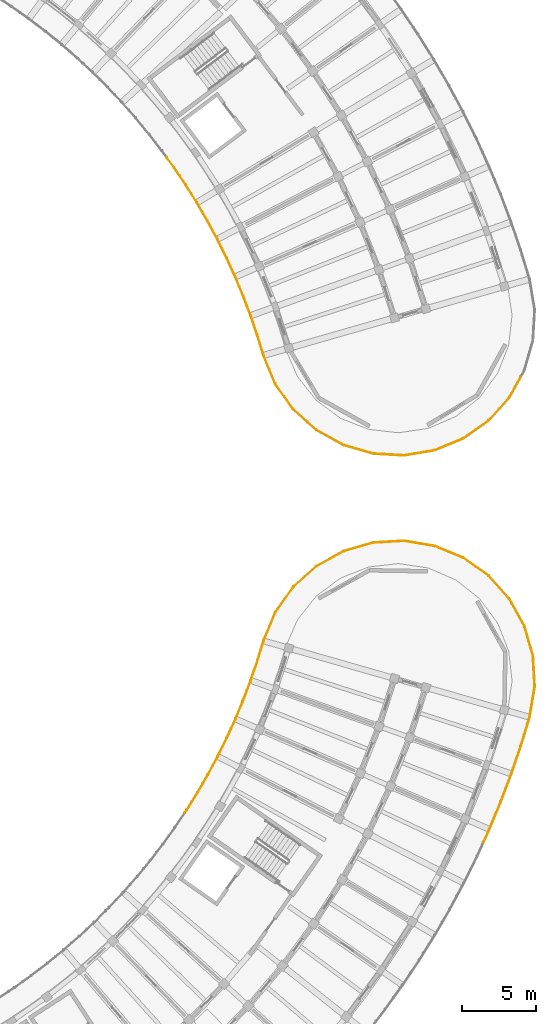
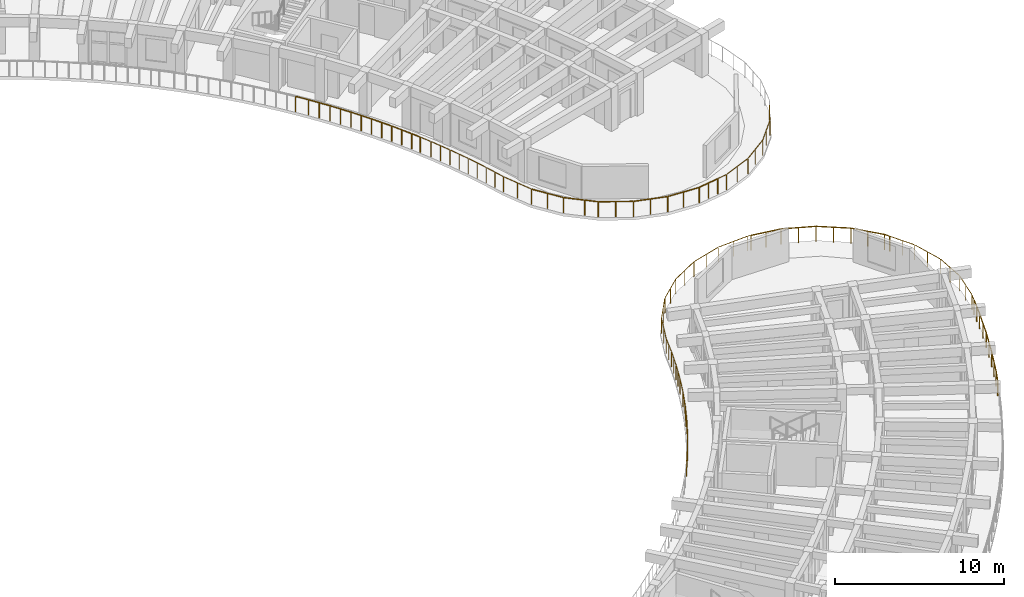
# One storey, part 77 of 81: 11 railings.
"""IFC4 building model written with IfcOpenShell, lengths in metres."""

from ifc_helpers import new_model, si_unit, direction, frame, origin, origin_2d, place, context, subcontext, project, spatial, circle, extrude, material, type_object, element, save


model = new_model("IFC4")

# Units and contexts
model_context = context("Model", 3, precision=1e-05, world=origin(), true_north=direction((0.0, 1.0)))
body_context = subcontext(model_context, "Body", "Model", "MODEL_VIEW")
ifc_project = project(units=[si_unit("LENGTHUNIT", "METRE"), si_unit("AREAUNIT", "SQUARE_METRE"), si_unit("VOLUMEUNIT", "CUBIC_METRE"), si_unit("PLANEANGLEUNIT", "RADIAN"), si_unit("MASSUNIT", "GRAM", prefix="KILO")], contexts=[model_context])

# Site, building, storey
site_placement = place(None, origin())
site = spatial("IfcSite", under=ifc_project, at=site_placement, CompositionType="ELEMENT")
building_placement = place(site_placement, origin())
building = spatial("IfcBuilding", under=site, at=building_placement, Name="Tanwirah Colonnade Gardens", CompositionType="ELEMENT")
storey_placement = place(building_placement, frame((0.0, 0.0, 8.840087890625)))
storey = spatial("IfcBuildingStorey", under=building, at=storey_placement, Name="L02", CompositionType="ELEMENT", Elevation=8.840087890625)

# Railings
ifc_material = material(Name="Precast concrete C40/50", Category="concrete")
railing_type_1 = type_object("IfcRailingType", Name="BAL-EXT110", PredefinedType="BALUSTRADE", material=ifc_material)
railing_1_placement = place(storey_placement, frame((156.728515625, 41.15869140625, 0.0)))
element("IfcRailing", 1, at=railing_1_placement, inside=storey, type_object=railing_type_1, Name="Block D L02 Balcony Ribbon Balustrade 5", PredefinedType="BALUSTRADE", context=body_context, shape_type="SweptSolid", body=[
    extrude(circle(Radius=0.02392578125, at=origin_2d()), frame((0.017333984375, 0.02587890625, 1.076171875), z_axis=(0.556591623042, 0.83078623313, 0.0), x_axis=(-0.83078623313, 0.556591623042, 0.0)), (0.0, 0.0, 1.0), 0.145751953125),
    extrude(circle(Radius=0.02392578125, at=origin_2d()), frame((0.1337890625, 0.201904296875, 1.076171875), z_axis=(0.529022666758, 0.848607693847, 0.0), x_axis=(-0.848607693847, 0.529022666758, 0.0)), (0.0, 0.0, 1.0), 1.33154296875),
    extrude(circle(Radius=0.02392578125, at=origin_2d()), frame((0.87158203125, 1.3876953125, 1.076171875), z_axis=(0.501015561301, 0.865438274711, 0.0), x_axis=(-0.865438274711, 0.501015561301, 0.0)), (0.0, 0.0, 1.0), 1.33154296875),
    extrude(circle(Radius=0.02392578125, at=origin_2d()), frame((1.5703125, 2.596923828125, 1.076171875), z_axis=(0.472323466806, 0.881425290484, 0.0), x_axis=(-0.881425290484, 0.472323466806, 0.0)), (0.0, 0.0, 1.0), 1.33154296875),
    extrude(circle(Radius=0.02392578125, at=origin_2d()), frame((2.229248046875, 3.82861328125, 1.076171875), z_axis=(0.443286097627, 0.896380184771, 0.0), x_axis=(-0.896380184771, 0.443286097627, 0.0)), (0.0, 0.0, 1.0), 1.33154296875),
    extrude(circle(Radius=0.02392578125, at=origin_2d()), frame((2.847412109375, 5.0810546875, 1.076171875), z_axis=(0.413697373423, 0.91041445684, 0.0), x_axis=(-0.91041445684, 0.413697373423, 0.0)), (0.0, 0.0, 1.0), 1.331298828125),
    extrude(circle(Radius=0.02392578125, at=origin_2d()), frame((3.424072265625, 6.352783203125, 1.076171875), z_axis=(0.383672564884, 0.923469199787, 0.0), x_axis=(-0.923469199787, 0.383672564884, 0.0)), (0.0, 0.0, 1.0), 1.2431640625),
    extrude(circle(Radius=0.02099609375, at=origin_2d()), origin(), (0.0, 0.0, 1.0), 1.049072265625),
    extrude(circle(Radius=0.02099609375, at=origin_2d()), frame((0.115966796875, 0.173095703125, 0.0)), (0.0, 0.0, 1.0), 1.049072265625),
    extrude(circle(Radius=0.02099609375, at=origin_2d()), frame((0.48583984375, 0.766845703125, 0.0)), (0.0, 0.0, 1.0), 1.049072265625),
    extrude(circle(Radius=0.02099609375, at=origin_2d()), frame((0.854736328125, 1.3583984375, 0.0)), (0.0, 0.0, 1.0), 1.049072265625),
    extrude(circle(Radius=0.02099609375, at=origin_2d()), frame((1.205078125, 1.9638671875, 0.0)), (0.0, 0.0, 1.0), 1.049072265625),
    extrude(circle(Radius=0.02099609375, at=origin_2d()), frame((1.554443359375, 2.567138671875, 0.0)), (0.0, 0.0, 1.0), 1.049072265625),
    extrude(circle(Radius=0.02099609375, at=origin_2d()), frame((1.884765625, 3.18359375, 0.0)), (0.0, 0.0, 1.0), 1.049072265625),
    extrude(circle(Radius=0.02099609375, at=origin_2d()), frame((2.214111328125, 3.798095703125, 0.0)), (0.0, 0.0, 1.0), 1.049072265625),
    extrude(circle(Radius=0.02099609375, at=origin_2d()), frame((2.5244140625, 4.42529296875, 0.0)), (0.0, 0.0, 1.0), 1.049072265625),
    extrude(circle(Radius=0.02099609375, at=origin_2d()), frame((2.833251953125, 5.050048828125, 0.0)), (0.0, 0.0, 1.0), 1.049072265625),
    extrude(circle(Radius=0.02099609375, at=origin_2d()), frame((3.122802734375, 5.68701171875, 0.0)), (0.0, 0.0, 1.0), 1.049072265625),
    extrude(circle(Radius=0.02099609375, at=origin_2d()), frame((3.4111328125, 6.321533203125, 0.0)), (0.0, 0.0, 1.0), 1.049072265625),
    extrude(circle(Radius=0.02099609375, at=origin_2d()), frame((3.9130859375, 7.52978515625, 0.0)), (0.0, 0.0, 1.0), 1.049072265625),
])
railing_2_placement = place(storey_placement, frame((160.6416015625, 48.6884765625, 0.0)))
element("IfcRailing", 2, at=railing_2_placement, inside=storey, type_object=railing_type_1, Name="Block D L02 Balcony Ribbon Balustrade 6", PredefinedType="BALUSTRADE", context=body_context, shape_type="SweptSolid", body=[
    extrude(circle(Radius=0.02392578125, at=origin_2d()), frame((0.011962890625, 0.02880859375, 1.076171875), z_axis=(0.384222801745, 0.923240401315, 0.0), x_axis=(-0.923240401315, 0.384222801745, 0.0)), (0.0, 0.0, 1.0), 0.02587890625),
    extrude(circle(Radius=0.02392578125, at=origin_2d()), frame((0.0458984375, 0.11328125, 1.076171875), z_axis=(0.353291566317, 0.935513265095, 0.0), x_axis=(-0.935513265095, 0.353291566317, 0.0)), (0.0, 0.0, 1.0), 1.331298828125),
    extrude(circle(Radius=0.02392578125, at=origin_2d()), frame((0.538330078125, 1.419921875, 1.076171875), z_axis=(0.322420738552, 0.946596464895, 0.0), x_axis=(-0.946596464895, 0.322420738552, 0.0)), (0.0, 0.0, 1.0), 1.33154296875),
    extrude(circle(Radius=0.02392578125, at=origin_2d()), frame((0.987548828125, 2.7421875, 1.076171875), z_axis=(0.291308344694, 0.956629211509, 0.0), x_axis=(-0.956629211509, 0.291308344694, 0.0)), (0.0, 0.0, 1.0), 1.327880859375),
    extrude(circle(Radius=0.02392578125, at=origin_2d()), frame((1.3955078125, 4.0712890625, 1.076171875), z_axis=(0.381489237895, 0.92437328032, 0.0), x_axis=(-0.92437328032, 0.381489237895, 0.0)), (0.0, 0.0, 1.0), 2.029541015625),
    extrude(circle(Radius=0.02392578125, at=origin_2d()), frame((2.19970703125, 6.001953125, 1.076171875), z_axis=(0.577702435947, 0.81624744747, 0.0), x_axis=(-0.81624744747, 0.577702435947, 0.0)), (0.0, 0.0, 1.0), 2.0244140625),
    extrude(circle(Radius=0.02099609375, at=origin_2d()), origin(), (0.0, 0.0, 1.0), 1.049072265625),
    extrude(circle(Radius=0.02099609375, at=origin_2d()), frame((0.033935546875, 0.08154296875, 0.0)), (0.0, 0.0, 1.0), 1.049072265625),
    extrude(circle(Radius=0.02099609375, at=origin_2d()), frame((0.28125, 0.73583984375, 0.0)), (0.0, 0.0, 1.0), 1.049072265625),
    extrude(circle(Radius=0.02099609375, at=origin_2d()), frame((0.52734375, 1.387939453125, 0.0)), (0.0, 0.0, 1.0), 1.049072265625),
    extrude(circle(Radius=0.02099609375, at=origin_2d()), frame((0.7529296875, 2.05029296875, 0.0)), (0.0, 0.0, 1.0), 1.049072265625),
    extrude(circle(Radius=0.02099609375, at=origin_2d()), frame((0.977783203125, 2.7099609375, 0.0)), (0.0, 0.0, 1.0), 1.049072265625),
    extrude(circle(Radius=0.02099609375, at=origin_2d()), frame((1.18115234375, 3.37744140625, 0.0)), (0.0, 0.0, 1.0), 1.049072265625),
    extrude(circle(Radius=0.02099609375, at=origin_2d()), frame((1.383544921875, 4.04248046875, 0.0)), (0.0, 0.0, 1.0), 1.049072265625),
    extrude(circle(Radius=0.02099609375, at=origin_2d()), frame((1.78271484375, 5.00927734375, 0.0)), (0.0, 0.0, 1.0), 1.049072265625),
    extrude(circle(Radius=0.02099609375, at=origin_2d()), frame((2.181640625, 5.976318359375, 0.0)), (0.0, 0.0, 1.0), 1.049072265625),
    extrude(circle(Radius=0.02099609375, at=origin_2d()), frame((2.784423828125, 6.828125, 0.0)), (0.0, 0.0, 1.0), 1.049072265625),
    extrude(circle(Radius=0.02099609375, at=origin_2d()), frame((3.38720703125, 7.6796875, 0.0)), (0.0, 0.0, 1.0), 1.049072265625),
])
railing_3_placement = place(storey_placement, frame((164.063720703125, 56.3994140625, 0.0)))
element("IfcRailing", 3, at=railing_3_placement, inside=storey, type_object=railing_type_1, Name="Block D L02 Balcony Ribbon Balustrade 7", PredefinedType="BALUSTRADE", context=body_context, shape_type="SweptSolid", body=[
    extrude(circle(Radius=0.02392578125, at=origin_2d()), frame((0.023193359375, 0.020751953125, 1.076171875), z_axis=(0.744815510739, 0.667270451138, 0.0), x_axis=(-0.667270451138, 0.744815510739, 0.0)), (0.0, 0.0, 1.0), 1.9775390625),
    extrude(circle(Radius=0.02392578125, at=origin_2d()), frame((1.546875, 1.37646484375, 1.076171875), z_axis=(0.874620424882, 0.484808325403, 0.0), x_axis=(-0.484808325403, 0.874620424882, 0.0)), (0.0, 0.0, 1.0), 2.0244140625),
    extrude(circle(Radius=0.02392578125, at=origin_2d()), frame((3.374755859375, 2.3818359375, 1.076171875), z_axis=(0.960560153031, 0.278072279108, 0.0), x_axis=(-0.278072279108, 0.960560153031, 0.0)), (0.0, 0.0, 1.0), 2.0244140625),
    extrude(circle(Radius=0.02392578125, at=origin_2d()), frame((5.380615234375, 2.955078125, 1.076171875), z_axis=(0.998355686266, 0.057322977065, 0.0), x_axis=(-0.057322977065, 0.998355686266, 0.0)), (0.0, 0.0, 1.0), 2.0244140625),
    extrude(circle(Radius=0.02392578125, at=origin_2d()), frame((7.463623046875, 3.06787109375, 1.076171875), z_axis=(0.985993298705, -0.166784936099, 0.0), x_axis=(0.166784936099, 0.985993298705, 0.0)), (0.0, 0.0, 1.0), 0.136474609375),
    extrude(circle(Radius=0.02099609375, at=origin_2d()), origin(), (0.0, 0.0, 1.0), 1.049072265625),
    extrude(circle(Radius=0.02099609375, at=origin_2d()), frame((0.759765625, 0.6806640625, 0.0)), (0.0, 0.0, 1.0), 1.049072265625),
    extrude(circle(Radius=0.02099609375, at=origin_2d()), frame((1.51953125, 1.361328125, 0.0)), (0.0, 0.0, 1.0), 1.049072265625),
    extrude(circle(Radius=0.02099609375, at=origin_2d()), frame((2.43212890625, 1.8671875, 0.0)), (0.0, 0.0, 1.0), 1.049072265625),
    extrude(circle(Radius=0.02099609375, at=origin_2d()), frame((3.3447265625, 2.373046875, 0.0)), (0.0, 0.0, 1.0), 1.049072265625),
    extrude(circle(Radius=0.02099609375, at=origin_2d()), frame((4.34716796875, 2.6630859375, 0.0)), (0.0, 0.0, 1.0), 1.049072265625),
    extrude(circle(Radius=0.02099609375, at=origin_2d()), frame((5.349365234375, 2.953369140625, 0.0)), (0.0, 0.0, 1.0), 1.049072265625),
    extrude(circle(Radius=0.02099609375, at=origin_2d()), frame((6.39111328125, 3.01318359375, 0.0)), (0.0, 0.0, 1.0), 1.049072265625),
    extrude(circle(Radius=0.02099609375, at=origin_2d()), frame((7.432861328125, 3.072998046875, 0.0)), (0.0, 0.0, 1.0), 1.049072265625),
    extrude(circle(Radius=0.02099609375, at=origin_2d()), frame((7.629150390625, 3.039794921875, 0.0)), (0.0, 0.0, 1.0), 1.049072265625),
])
railing_4_placement = place(storey_placement, frame((171.69287109375, 59.439208984375, 0.0)))
element("IfcRailing", 4, at=railing_4_placement, inside=storey, type_object=railing_type_1, Name="Block D L02 Balcony Ribbon Balustrade 8", PredefinedType="BALUSTRADE", context=body_context, shape_type="SweptSolid", body=[
    extrude(circle(Radius=0.02392578125, at=origin_2d()), frame((0.03076171875, -0.005126953125, 1.076171875), z_axis=(0.986074017586, -0.166307040868, 0.0), x_axis=(0.166307040868, 0.986074017586, 0.0)), (0.0, 0.0, 1.0), 1.825439453125),
    extrude(circle(Radius=0.02392578125, at=origin_2d()), frame((1.890380859375, -0.325927734375, 1.076171875), z_axis=(0.924362800533, -0.381514630115, 0.0), x_axis=(0.381514630115, 0.924362800533, 0.0)), (0.0, 0.0, 1.0), 2.024169921875),
    extrude(circle(Radius=0.02392578125, at=origin_2d()), frame((3.816162109375, -1.128173828125, 1.076171875), z_axis=(0.816286486525, -0.577647272924, 0.0), x_axis=(0.577647272924, 0.816286486525, 0.0)), (0.0, 0.0, 1.0), 2.0244140625),
    extrude(circle(Radius=0.02392578125, at=origin_2d()), frame((5.514892578125, -2.3388671875, 1.076171875), z_axis=(0.667321336148, -0.744769920393, 0.0), x_axis=(0.744769920393, 0.667321336148, 0.0)), (0.0, 0.0, 1.0), 2.0244140625),
    extrude(circle(Radius=0.02392578125, at=origin_2d()), frame((6.90185546875, -3.897216796875, 1.076171875), z_axis=(0.484581560684, -0.874746083755, 0.0), x_axis=(0.874746083755, 0.484581560684, 0.0)), (0.0, 0.0, 1.0), 0.2890625),
    extrude(circle(Radius=0.02099609375, at=origin_2d()), origin(), (0.0, 0.0, 1.0), 1.049072265625),
    extrude(circle(Radius=0.02099609375, at=origin_2d()), frame((0.9306640625, -0.156982421875, 0.0)), (0.0, 0.0, 1.0), 1.049072265625),
    extrude(circle(Radius=0.02099609375, at=origin_2d()), frame((1.861572265625, -0.31396484375, 0.0)), (0.0, 0.0, 1.0), 1.049072265625),
    extrude(circle(Radius=0.02099609375, at=origin_2d()), frame((2.826171875, -0.7119140625, 0.0)), (0.0, 0.0, 1.0), 1.049072265625),
    extrude(circle(Radius=0.02099609375, at=origin_2d()), frame((3.79052734375, -1.110107421875, 0.0)), (0.0, 0.0, 1.0), 1.049072265625),
    extrude(circle(Radius=0.02099609375, at=origin_2d()), frame((4.642333984375, -1.712890625, 0.0)), (0.0, 0.0, 1.0), 1.049072265625),
    extrude(circle(Radius=0.02099609375, at=origin_2d()), frame((5.494140625, -2.315673828125, 0.0)), (0.0, 0.0, 1.0), 1.049072265625),
    extrude(circle(Radius=0.02099609375, at=origin_2d()), frame((6.1904296875, -3.0927734375, 0.0)), (0.0, 0.0, 1.0), 1.049072265625),
    extrude(circle(Radius=0.02099609375, at=origin_2d()), frame((6.88671875, -3.869873046875, 0.0)), (0.0, 0.0, 1.0), 1.049072265625),
    extrude(circle(Radius=0.02099609375, at=origin_2d()), frame((7.05712890625, -4.177490234375, 0.0)), (0.0, 0.0, 1.0), 1.049072265625),
])
railing_5_placement = place(storey_placement, frame((178.75, 55.26171875, 0.0)))
element("IfcRailing", 5, at=railing_5_placement, inside=storey, type_object=railing_type_1, Name="Block D L02 Balcony Ribbon Balustrade 9", PredefinedType="BALUSTRADE", context=body_context, shape_type="SweptSolid", body=[
    extrude(circle(Radius=0.02392578125, at=origin_2d()), frame((0.01513671875, -0.02734375, 1.076171875), z_axis=(0.484794621278, -0.874628021035, 0.0), x_axis=(0.874628021035, 0.484794621278, 0.0)), (0.0, 0.0, 1.0), 1.6728515625),
    extrude(circle(Radius=0.02392578125, at=origin_2d()), frame((0.85009765625, -1.5478515625, 1.076171875), z_axis=(0.277995575468, -0.960582354627, 0.0), x_axis=(0.960582354627, 0.277995575468, 0.0)), (0.0, 0.0, 1.0), 2.024169921875),
    extrude(circle(Radius=0.02392578125, at=origin_2d()), frame((1.423095703125, -3.553466796875, 1.076171875), z_axis=(0.057322977065, -0.998355686266, 0.0), x_axis=(0.998355686266, 0.057322977065, 0.0)), (0.0, 0.0, 1.0), 2.0244140625),
    extrude(circle(Radius=0.02392578125, at=origin_2d()), frame((1.535888671875, -5.636474609375, 1.076171875), z_axis=(-0.166273240714, -0.98607971758, 0.0), x_axis=(0.98607971758, -0.166273240714, 0.0)), (0.0, 0.0, 1.0), 2.0283203125),
    extrude(circle(Radius=0.02392578125, at=origin_2d()), frame((1.184326171875, -7.697509765625, 1.076171875), z_axis=(-0.290928518409, -0.956744792082, 0.0), x_axis=(0.956744792082, -0.290928518409, 0.0)), (0.0, 0.0, 1.0), 0.437744140625),
    extrude(circle(Radius=0.02099609375, at=origin_2d()), origin(), (0.0, 0.0, 1.0), 1.049072265625),
    extrude(circle(Radius=0.02099609375, at=origin_2d()), frame((0.420654296875, -0.7587890625, 0.0)), (0.0, 0.0, 1.0), 1.049072265625),
    extrude(circle(Radius=0.02099609375, at=origin_2d()), frame((0.84130859375, -1.517822265625, 0.0)), (0.0, 0.0, 1.0), 1.049072265625),
    extrude(circle(Radius=0.02099609375, at=origin_2d()), frame((1.13134765625, -2.52001953125, 0.0)), (0.0, 0.0, 1.0), 1.049072265625),
    extrude(circle(Radius=0.02099609375, at=origin_2d()), frame((1.42138671875, -3.522216796875, 0.0)), (0.0, 0.0, 1.0), 1.049072265625),
    extrude(circle(Radius=0.02099609375, at=origin_2d()), frame((1.481201171875, -4.56396484375, 0.0)), (0.0, 0.0, 1.0), 1.049072265625),
    extrude(circle(Radius=0.02099609375, at=origin_2d()), frame((1.541015625, -5.605712890625, 0.0)), (0.0, 0.0, 1.0), 1.049072265625),
    extrude(circle(Radius=0.02099609375, at=origin_2d()), frame((1.3671875, -6.63671875, 0.0)), (0.0, 0.0, 1.0), 1.049072265625),
    extrude(circle(Radius=0.02099609375, at=origin_2d()), frame((1.193359375, -7.66748046875, 0.0)), (0.0, 0.0, 1.0), 1.049072265625),
    extrude(circle(Radius=0.02099609375, at=origin_2d()), frame((1.0478515625, -8.14599609375, 0.0)), (0.0, 0.0, 1.0), 1.049072265625),
])
railing_6_placement = place(storey_placement, frame((179.7978515625, 47.11572265625, 0.0)))
element("IfcRailing", 6, at=railing_6_placement, inside=storey, type_object=railing_type_1, Name="Block D L02 Balcony Ribbon Balustrade 10", PredefinedType="BALUSTRADE", context=body_context, shape_type="SweptSolid", body=[
    extrude(circle(Radius=0.02392578125, at=origin_2d()), frame((-0.009033203125, -0.02978515625, 1.076171875), z_axis=(-0.291504284688, -0.956569522831, 0.0), x_axis=(0.956569522831, -0.291504284688, 0.0)), (0.0, 0.0, 1.0), 1.43994140625),
    extrude(circle(Radius=0.02392578125, at=origin_2d()), frame((-0.447998046875, -1.466796875, 1.076171875), z_axis=(-0.322426184604, -0.946594609895, 0.0), x_axis=(0.946594609895, -0.322426184604, 0.0)), (0.0, 0.0, 1.0), 1.944091796875),
    extrude(circle(Radius=0.02392578125, at=origin_2d()), frame((-1.095947265625, -3.365966796875, 1.076171875), z_axis=(-0.353175799738, -0.935556975539, 0.0), x_axis=(0.935556975539, -0.353175799738, 0.0)), (0.0, 0.0, 1.0), 1.9443359375),
    extrude(circle(Radius=0.02392578125, at=origin_2d()), frame((-1.8056640625, -5.242919921875, 1.076171875), z_axis=(-0.383777149523, -0.923425741196, 0.0), x_axis=(0.923425741196, -0.383777149523, 0.0)), (0.0, 0.0, 1.0), 1.94384765625),
    extrude(circle(Radius=0.02392578125, at=origin_2d()), frame((-2.57666015625, -7.095458984375, 1.076171875), z_axis=(-0.413746505337, -0.910392129426, 0.0), x_axis=(0.910392129426, -0.413746505337, 0.0)), (0.0, 0.0, 1.0), 0.915283203125),
    extrude(circle(Radius=0.02099609375, at=origin_2d()), origin(), (0.0, 0.0, 1.0), 1.049072265625),
    extrude(circle(Radius=0.02099609375, at=origin_2d()), frame((-0.218994140625, -0.71875, 0.0)), (0.0, 0.0, 1.0), 1.049072265625),
    extrude(circle(Radius=0.02099609375, at=origin_2d()), frame((-0.43798828125, -1.437255859375, 0.0)), (0.0, 0.0, 1.0), 1.049072265625),
    extrude(circle(Radius=0.02099609375, at=origin_2d()), frame((-0.761474609375, -2.386962890625, 0.0)), (0.0, 0.0, 1.0), 1.049072265625),
    extrude(circle(Radius=0.02099609375, at=origin_2d()), frame((-1.0849609375, -3.336669921875, 0.0)), (0.0, 0.0, 1.0), 1.049072265625),
    extrude(circle(Radius=0.02099609375, at=origin_2d()), frame((-1.439453125, -4.275390625, 0.0)), (0.0, 0.0, 1.0), 1.049072265625),
    extrude(circle(Radius=0.02099609375, at=origin_2d()), frame((-1.793701171875, -5.214111328125, 0.0)), (0.0, 0.0, 1.0), 1.049072265625),
    extrude(circle(Radius=0.02099609375, at=origin_2d()), frame((-2.1787109375, -6.140625, 0.0)), (0.0, 0.0, 1.0), 1.049072265625),
    extrude(circle(Radius=0.02099609375, at=origin_2d()), frame((-2.563720703125, -7.06689453125, 0.0)), (0.0, 0.0, 1.0), 1.049072265625),
    extrude(circle(Radius=0.02099609375, at=origin_2d()), frame((-2.96826171875, -7.95703125, 0.0)), (0.0, 0.0, 1.0), 1.049072265625),
])
railing_type_2 = type_object("IfcRailingType", Name="BAL-EXT112", PredefinedType="BALUSTRADE", material=ifc_material)
railing_7_placement = place(storey_placement, frame((162.8232421875, 70.035400390625, 0.0)))
element("IfcRailing", 7, at=railing_7_placement, inside=storey, type_object=railing_type_2, Name="Block B L02 Balcony Ribbon Balustrade 1", PredefinedType="BALUSTRADE", context=body_context, shape_type="SweptSolid", body=[
    extrude(circle(Radius=0.02392578125, at=origin_2d()), frame((-0.011962890625, 0.02880859375, 1.09619140625), z_axis=(-0.381489237895, 0.92437328032, 0.0), x_axis=(-0.92437328032, -0.381489237895, 0.0)), (0.0, 0.0, 1.0), 2.029541015625),
    extrude(circle(Radius=0.02392578125, at=origin_2d()), frame((-0.80712890625, 1.963623046875, 1.09619140625), z_axis=(-0.29148764702, 0.956574592823, 0.0), x_axis=(-0.956574592823, -0.29148764702, 0.0)), (0.0, 0.0, 1.0), 1.337890625),
    extrude(circle(Radius=0.02392578125, at=origin_2d()), frame((-1.217041015625, 3.305419921875, 1.09619140625), z_axis=(-0.322790719453, 0.946470364795, 0.0), x_axis=(-0.946470364795, -0.322790719453, 0.0)), (0.0, 0.0, 1.0), 1.342041015625),
    extrude(circle(Radius=0.02392578125, at=origin_2d()), frame((-1.67236328125, 4.636962890625, 1.09619140625), z_axis=(-0.353789339155, 0.935325132508, 0.0), x_axis=(-0.935325132508, -0.353789339155, 0.0)), (0.0, 0.0, 1.0), 1.341796875),
    extrude(circle(Radius=0.02392578125, at=origin_2d()), frame((-2.171142578125, 5.952392578125, 1.09619140625), z_axis=(-0.384541319971, 0.923107779858, 0.0), x_axis=(-0.923107779858, -0.384541319971, 0.0)), (0.0, 0.0, 1.0), 1.341796875),
    extrude(circle(Radius=0.02392578125, at=origin_2d()), frame((-2.713134765625, 7.2509765625, 1.09619140625), z_axis=(-0.414647740507, 0.909982006027, 0.0), x_axis=(-0.909982006027, -0.414647740507, 0.0)), (0.0, 0.0, 1.0), 0.72119140625),
    extrude(circle(Radius=0.02099609375, at=origin_2d()), origin(), (0.0, 0.0, 1.0), 1.069091796875),
    extrude(circle(Radius=0.02099609375, at=origin_2d()), frame((-0.39892578125, 0.966796875, 0.0)), (0.0, 0.0, 1.0), 1.069091796875),
    extrude(circle(Radius=0.02099609375, at=origin_2d()), frame((-0.798095703125, 1.933837890625, 0.0)), (0.0, 0.0, 1.0), 1.069091796875),
    extrude(circle(Radius=0.02099609375, at=origin_2d()), frame((-1.002197265625, 2.603515625, 0.0)), (0.0, 0.0, 1.0), 1.069091796875),
    extrude(circle(Radius=0.02099609375, at=origin_2d()), frame((-1.206298828125, 3.2734375, 0.0)), (0.0, 0.0, 1.0), 1.069091796875),
    extrude(circle(Radius=0.02099609375, at=origin_2d()), frame((-1.43359375, 3.9404296875, 0.0)), (0.0, 0.0, 1.0), 1.069091796875),
    extrude(circle(Radius=0.02099609375, at=origin_2d()), frame((-1.660400390625, 4.605224609375, 0.0)), (0.0, 0.0, 1.0), 1.069091796875),
    extrude(circle(Radius=0.02099609375, at=origin_2d()), frame((-1.90966796875, 5.264404296875, 0.0)), (0.0, 0.0, 1.0), 1.069091796875),
    extrude(circle(Radius=0.02099609375, at=origin_2d()), frame((-2.158203125, 5.921142578125, 0.0)), (0.0, 0.0, 1.0), 1.069091796875),
    extrude(circle(Radius=0.02099609375, at=origin_2d()), frame((-2.42919921875, 6.57177734375, 0.0)), (0.0, 0.0, 1.0), 1.069091796875),
    extrude(circle(Radius=0.02099609375, at=origin_2d()), frame((-2.69921875, 7.219970703125, 0.0)), (0.0, 0.0, 1.0), 1.069091796875),
    extrude(circle(Radius=0.02099609375, at=origin_2d()), frame((-3.025146484375, 7.935546875, 0.0)), (0.0, 0.0, 1.0), 1.069091796875),
])
railing_8_placement = place(storey_placement, frame((159.798095703125, 77.970947265625, 0.0)))
element("IfcRailing", 8, at=railing_8_placement, inside=storey, type_object=railing_type_2, Name="Block B L02 Balcony Ribbon Balustrade 2", PredefinedType="BALUSTRADE", context=body_context, shape_type="SweptSolid", body=[
    extrude(circle(Radius=0.02392578125, at=origin_2d()), frame((-0.012939453125, 0.028564453125, 1.09619140625), z_axis=(-0.414662350761, 0.909975348491, 0.0), x_axis=(-0.909975348491, -0.414662350761, 0.0)), (0.0, 0.0, 1.0), 0.55810546875),
    extrude(circle(Radius=0.02392578125, at=origin_2d()), frame((-0.2724609375, 0.59521484375, 1.09619140625), z_axis=(-0.444499692011, 0.895779003885, 0.0), x_axis=(-0.895779003885, -0.444499692011, 0.0)), (0.0, 0.0, 1.0), 1.341796875),
    extrude(circle(Radius=0.02392578125, at=origin_2d()), frame((-0.89892578125, 1.85498046875, 1.09619140625), z_axis=(-0.473716211853, 0.880677552018, 0.0), x_axis=(-0.880677552018, -0.473716211853, 0.0)), (0.0, 0.0, 1.0), 1.341796875),
    extrude(circle(Radius=0.02392578125, at=origin_2d()), frame((-1.566162109375, 3.093505859375, 1.09619140625), z_axis=(-0.502378729104, 0.864647681165, 0.0), x_axis=(-0.864647681165, -0.502378729104, 0.0)), (0.0, 0.0, 1.0), 1.342041015625),
    extrude(circle(Radius=0.02392578125, at=origin_2d()), frame((-2.274169921875, 4.3095703125, 1.09619140625), z_axis=(-0.530764445851, 0.847519382091, 0.0), x_axis=(-0.847519382091, -0.530764445851, 0.0)), (0.0, 0.0, 1.0), 1.341796875),
    extrude(circle(Radius=0.02392578125, at=origin_2d()), frame((-3.02197265625, 5.501220703125, 1.09619140625), z_axis=(-0.558385571779, 0.829581553091, 0.0), x_axis=(-0.829581553091, -0.558385571779, 0.0)), (0.0, 0.0, 1.0), 1.341796875),
    extrude(circle(Radius=0.02392578125, at=origin_2d()), frame((-3.808349609375, 6.66796875, 1.09619140625), z_axis=(-0.585427031638, 0.810725101763, 0.0), x_axis=(-0.810725101763, -0.585427031638, 0.0)), (0.0, 0.0, 1.0), 0.779541015625),
    extrude(circle(Radius=0.02099609375, at=origin_2d()), origin(), (0.0, 0.0, 1.0), 1.069091796875),
    extrude(circle(Radius=0.02099609375, at=origin_2d()), frame((-0.25732421875, 0.564697265625, 0.0)), (0.0, 0.0, 1.0), 1.069091796875),
    extrude(circle(Radius=0.02099609375, at=origin_2d()), frame((-0.57080078125, 1.1962890625, 0.0)), (0.0, 0.0, 1.0), 1.069091796875),
    extrude(circle(Radius=0.02099609375, at=origin_2d()), frame((-0.8828125, 1.8251953125, 0.0)), (0.0, 0.0, 1.0), 1.069091796875),
    extrude(circle(Radius=0.02099609375, at=origin_2d()), frame((-1.216796875, 2.44580078125, 0.0)), (0.0, 0.0, 1.0), 1.069091796875),
    extrude(circle(Radius=0.02099609375, at=origin_2d()), frame((-1.54931640625, 3.064208984375, 0.0)), (0.0, 0.0, 1.0), 1.069091796875),
    extrude(circle(Radius=0.02099609375, at=origin_2d()), frame((-1.9033203125, 3.673583984375, 0.0)), (0.0, 0.0, 1.0), 1.069091796875),
    extrude(circle(Radius=0.02099609375, at=origin_2d()), frame((-2.256103515625, 4.28076171875, 0.0)), (0.0, 0.0, 1.0), 1.069091796875),
    extrude(circle(Radius=0.02099609375, at=origin_2d()), frame((-2.63037109375, 4.8779296875, 0.0)), (0.0, 0.0, 1.0), 1.069091796875),
    extrude(circle(Radius=0.02099609375, at=origin_2d()), frame((-3.0029296875, 5.47314453125, 0.0)), (0.0, 0.0, 1.0), 1.069091796875),
    extrude(circle(Radius=0.02099609375, at=origin_2d()), frame((-3.396484375, 6.057861328125, 0.0)), (0.0, 0.0, 1.0), 1.069091796875),
    extrude(circle(Radius=0.02099609375, at=origin_2d()), frame((-3.78857421875, 6.640380859375, 0.0)), (0.0, 0.0, 1.0), 1.069091796875),
    extrude(circle(Radius=0.02099609375, at=origin_2d()), frame((-4.282958984375, 7.3251953125, 0.0)), (0.0, 0.0, 1.0), 1.069091796875),
])
railing_9_placement = place(storey_placement, frame((179.34326171875, 70.508544921875, 0.0)))
element("IfcRailing", 9, at=railing_9_placement, inside=storey, type_object=railing_type_2, Name="Block B L02 Balcony Ribbon Balustrade 20", PredefinedType="BALUSTRADE", context=body_context, shape_type="SweptSolid", body=[
    extrude(circle(Radius=0.02392578125, at=origin_2d()), frame((-0.01513671875, -0.02734375, 1.09619140625), z_axis=(-0.484813654045, -0.874617471156, 0.0), x_axis=(0.874617471156, -0.484813654045, 0.0)), (0.0, 0.0, 1.0), 1.5126953125),
    extrude(circle(Radius=0.02392578125, at=origin_2d()), frame((-0.784423828125, -1.40087890625, 1.09619140625), z_axis=(-0.667263194146, -0.744822012119, 0.0), x_axis=(0.744822012119, -0.667263194146, 0.0)), (0.0, 0.0, 1.0), 2.0244140625),
    extrude(circle(Radius=0.02392578125, at=origin_2d()), frame((-2.181884765625, -2.9501953125, 1.09619140625), z_axis=(-0.816286486525, -0.577647272924, 0.0), x_axis=(0.577647272924, -0.816286486525, 0.0)), (0.0, 0.0, 1.0), 2.0244140625),
    extrude(circle(Radius=0.02392578125, at=origin_2d()), frame((-3.888671875, -4.149658203125, 1.09619140625), z_axis=(-0.924362800533, -0.381514630115, 0.0), x_axis=(0.381514630115, -0.924362800533, 0.0)), (0.0, 0.0, 1.0), 2.024169921875),
    extrude(circle(Radius=0.02392578125, at=origin_2d()), frame((-5.819580078125, -4.93896484375, 1.09619140625), z_axis=(-0.9860941903, -0.166187387776, 0.0), x_axis=(0.166187387776, -0.9860941903, 0.0)), (0.0, 0.0, 1.0), 0.6015625),
    extrude(circle(Radius=0.02099609375, at=origin_2d()), origin(), (0.0, 0.0, 1.0), 1.069091796875),
    extrude(circle(Radius=0.02099609375, at=origin_2d()), frame((-0.3818359375, -0.68896484375, 0.0)), (0.0, 0.0, 1.0), 1.069091796875),
    extrude(circle(Radius=0.02099609375, at=origin_2d()), frame((-0.763671875, -1.377685546875, 0.0)), (0.0, 0.0, 1.0), 1.069091796875),
    extrude(circle(Radius=0.02099609375, at=origin_2d()), frame((-1.4599609375, -2.15478515625, 0.0)), (0.0, 0.0, 1.0), 1.069091796875),
    extrude(circle(Radius=0.02099609375, at=origin_2d()), frame((-2.15625, -2.93212890625, 0.0)), (0.0, 0.0, 1.0), 1.069091796875),
    extrude(circle(Radius=0.02099609375, at=origin_2d()), frame((-3.008056640625, -3.534912109375, 0.0)), (0.0, 0.0, 1.0), 1.069091796875),
    extrude(circle(Radius=0.02099609375, at=origin_2d()), frame((-3.85986328125, -4.1376953125, 0.0)), (0.0, 0.0, 1.0), 1.069091796875),
    extrude(circle(Radius=0.02099609375, at=origin_2d()), frame((-4.82421875, -4.53564453125, 0.0)), (0.0, 0.0, 1.0), 1.069091796875),
    extrude(circle(Radius=0.02099609375, at=origin_2d()), frame((-5.788818359375, -4.933837890625, 0.0)), (0.0, 0.0, 1.0), 1.069091796875),
    extrude(circle(Radius=0.02099609375, at=origin_2d()), frame((-6.443603515625, -5.044189453125, 0.0)), (0.0, 0.0, 1.0), 1.069091796875),
])
railing_10_placement = place(storey_placement, frame((172.899658203125, 65.46435546875, 0.0)))
element("IfcRailing", 10, at=railing_10_placement, inside=storey, type_object=railing_type_2, Name="Block B L02 Balcony Ribbon Balustrade 21", PredefinedType="BALUSTRADE", context=body_context, shape_type="SweptSolid", body=[
    extrude(circle(Radius=0.02392578125, at=origin_2d()), frame((-0.03076171875, -0.005126953125, 1.09619140625), z_axis=(-0.986081459766, -0.166262908389, 0.0), x_axis=(0.166262908389, -0.986081459766, 0.0)), (0.0, 0.0, 1.0), 1.3603515625),
    extrude(circle(Radius=0.02392578125, at=origin_2d()), frame((-1.434326171875, -0.23486328125, 1.09619140625), z_axis=(-0.998362374442, 0.057206374631, 0.0), x_axis=(-0.057206374631, -0.998362374442, 0.0)), (0.0, 0.0, 1.0), 2.0244140625),
    extrude(circle(Radius=0.02392578125, at=origin_2d()), frame((-3.5166015625, -0.1083984375, 1.09619140625), z_axis=(-0.960560153031, 0.278072279108, 0.0), x_axis=(-0.278072279108, -0.960560153031, 0.0)), (0.0, 0.0, 1.0), 2.0244140625),
    extrude(circle(Radius=0.02392578125, at=origin_2d()), frame((-5.5185546875, 0.478271484375, 1.09619140625), z_axis=(-0.874620424882, 0.484808325403, 0.0), x_axis=(-0.484808325403, -0.874620424882, 0.0)), (0.0, 0.0, 1.0), 2.0244140625),
    extrude(circle(Radius=0.02392578125, at=origin_2d()), frame((-7.339599609375, 1.49560546875, 1.09619140625), z_axis=(-0.744779587928, 0.667310546452, 0.0), x_axis=(-0.667310546452, -0.744779587928, 0.0)), (0.0, 0.0, 1.0), 0.753662109375),
    extrude(circle(Radius=0.02099609375, at=origin_2d()), origin(), (0.0, 0.0, 1.0), 1.069091796875),
    extrude(circle(Radius=0.02099609375, at=origin_2d()), frame((-0.70166015625, -0.1181640625, 0.0)), (0.0, 0.0, 1.0), 1.069091796875),
    extrude(circle(Radius=0.02099609375, at=origin_2d()), frame((-1.403076171875, -0.236572265625, 0.0)), (0.0, 0.0, 1.0), 1.069091796875),
    extrude(circle(Radius=0.02099609375, at=origin_2d()), frame((-2.44482421875, -0.1767578125, 0.0)), (0.0, 0.0, 1.0), 1.069091796875),
    extrude(circle(Radius=0.02099609375, at=origin_2d()), frame((-3.486572265625, -0.1171875, 0.0)), (0.0, 0.0, 1.0), 1.069091796875),
    extrude(circle(Radius=0.02099609375, at=origin_2d()), frame((-4.48876953125, 0.1728515625, 0.0)), (0.0, 0.0, 1.0), 1.069091796875),
    extrude(circle(Radius=0.02099609375, at=origin_2d()), frame((-5.4912109375, 0.463134765625, 0.0)), (0.0, 0.0, 1.0), 1.069091796875),
    extrude(circle(Radius=0.02099609375, at=origin_2d()), frame((-6.40380859375, 0.968994140625, 0.0)), (0.0, 0.0, 1.0), 1.069091796875),
    extrude(circle(Radius=0.02099609375, at=origin_2d()), frame((-7.31640625, 1.474853515625, 0.0)), (0.0, 0.0, 1.0), 1.069091796875),
    extrude(circle(Radius=0.02099609375, at=origin_2d()), frame((-7.92431640625, 2.01953125, 0.0)), (0.0, 0.0, 1.0), 1.069091796875),
])
railing_11_placement = place(storey_placement, frame((164.975341796875, 67.48388671875, 0.0)))
element("IfcRailing", 11, at=railing_11_placement, inside=storey, type_object=railing_type_2, Name="Block B L02 Balcony Ribbon Balustrade 22", PredefinedType="BALUSTRADE", context=body_context, shape_type="SweptSolid", body=[
    extrude(circle(Radius=0.02392578125, at=origin_2d()), frame((-0.023193359375, 0.020751953125, 1.09619140625), z_axis=(-0.744849259982, 0.6672327779, 0.0), x_axis=(-0.6672327779, -0.744849259982, 0.0)), (0.0, 0.0, 1.0), 1.208251953125),
    extrude(circle(Radius=0.02392578125, at=origin_2d()), frame((-0.964599609375, 0.87353515625, 1.09619140625), z_axis=(-0.577647272924, 0.816286486525, 0.0), x_axis=(-0.816286486525, -0.577647272924, 0.0)), (0.0, 0.0, 1.0), 2.0244140625),
    extrude(circle(Radius=0.02099609375, at=origin_2d()), origin(), (0.0, 0.0, 1.0), 1.069091796875),
    extrude(circle(Radius=0.02099609375, at=origin_2d()), frame((-0.946533203125, 0.847900390625, 0.0)), (0.0, 0.0, 1.0), 1.069091796875),
    extrude(circle(Radius=0.02099609375, at=origin_2d()), frame((-1.54931640625, 1.69970703125, 0.0)), (0.0, 0.0, 1.0), 1.069091796875),
    extrude(circle(Radius=0.02099609375, at=origin_2d()), frame((-2.152099609375, 2.551513671875, 0.0)), (0.0, 0.0, 1.0), 1.069091796875),
])

save(model, "model.ifc")
